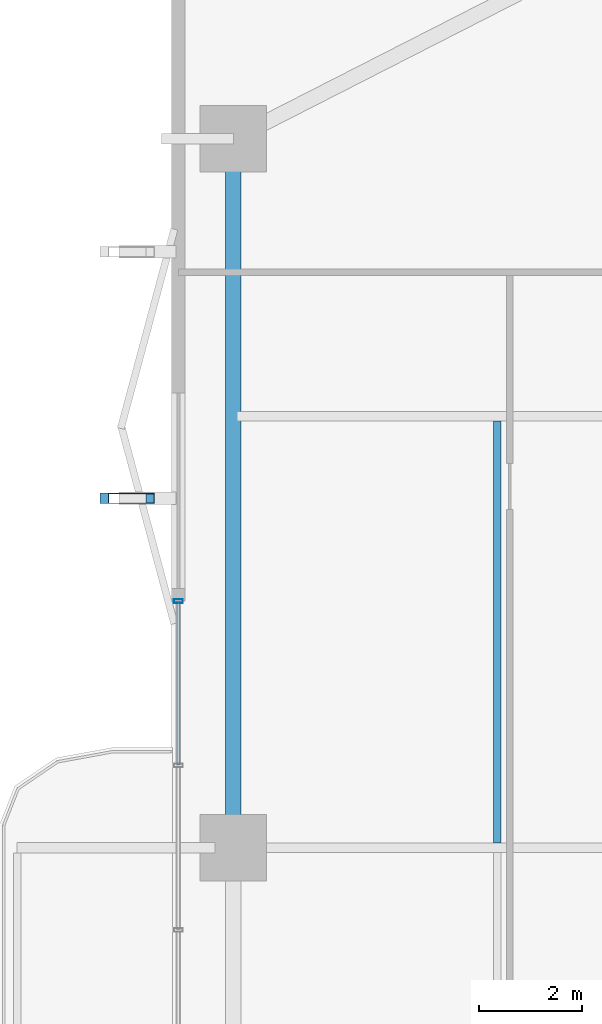
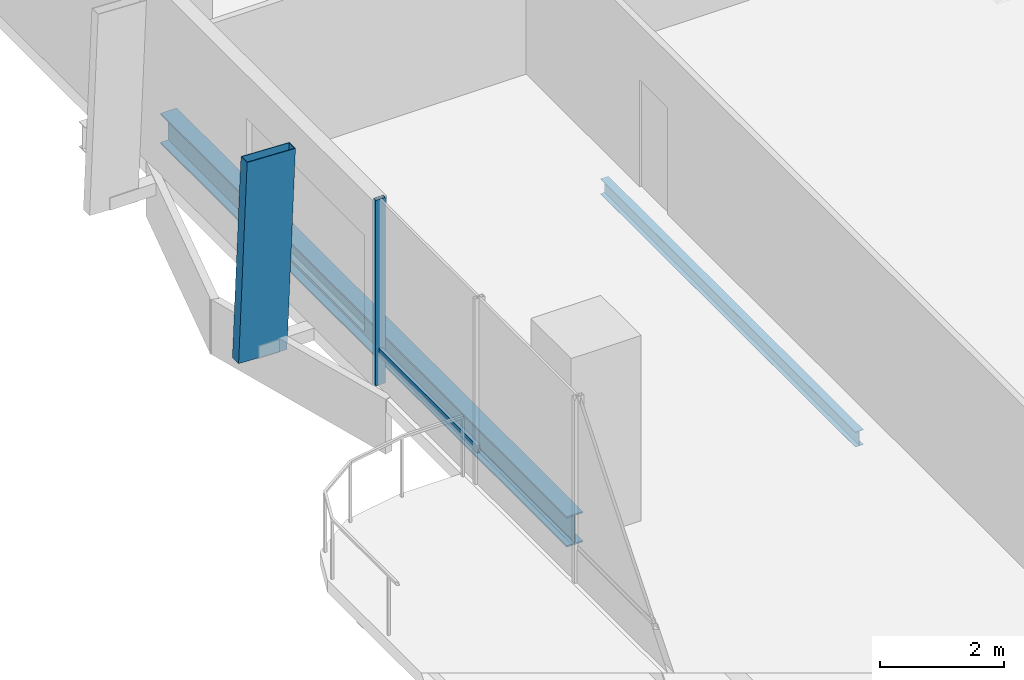
# One storey, part 9 of 24: 3 members, 2 beams, 1 element without a shape of its own.
"""IFC4 building model written with IfcOpenShell, lengths in metres."""

from ifc_helpers import new_model, si_unit, direction, frame, origin, origin_2d, place, context, subcontext, project, spatial, hollow_rectangle, i_section, extrude, material, layer, layer_set, material_profile, profile_set, type_object, element, aggregate, save


model = new_model("IFC4")

# Units and contexts
model_context = context("Model", 3, precision=1e-05, world=origin(), true_north=direction((0.0, 1.0)))
body_context = subcontext(model_context, "Body", "Model", "MODEL_VIEW")
ifc_project = project(units=[si_unit("LENGTHUNIT", "METRE"), si_unit("AREAUNIT", "SQUARE_METRE"), si_unit("VOLUMEUNIT", "CUBIC_METRE"), si_unit("PLANEANGLEUNIT", "RADIAN"), si_unit("MASSUNIT", "GRAM", prefix="KILO")], contexts=[model_context])

# Site, building, storey
site_placement = place(None, origin())
site = spatial("IfcSite", under=ifc_project, at=site_placement, CompositionType="ELEMENT")
building_placement = place(site_placement, origin())
building = spatial("IfcBuilding", under=site, at=building_placement, Name="Belovzor Exchange Tower", CompositionType="ELEMENT")
storey_placement = place(building_placement, frame((0.0, 0.0, 117.300048828125)))
storey = spatial("IfcBuildingStorey", under=building, at=storey_placement, Name="L28", CompositionType="ELEMENT", Elevation=117.300048828125)

# Beam
ifc_material_1 = material(Name="Steel S355", Category="steel")
ifc_material_profile_1 = material_profile(ifc_material_1, i_section(OverallWidth=0.14990234375, OverallDepth=0.300048828125, WebThickness=0.007080078125, FlangeThickness=0.0107421875, at=origin_2d()))
ifc_profile_set_1 = profile_set([ifc_material_profile_1], Name="Steel S355")
beam_type_1 = type_object("IfcBeamType", Name="Secondary Trim Floor Joist IPE 300", PredefinedType="BEAM", material=ifc_profile_set_1)
beam_1_placement = place(storey_placement, frame((9.0390625, 28.89501953125, -0.400146484375), z_axis=(0.0, 1.0, 0.0), x_axis=(-1.0, 0.0, 0.0)))
element("IfcBeam", 1, at=beam_1_placement, inside=storey, type_object=beam_type_1, Name="FJ-300 Secondary Trim Floor Joist IPE 300", PredefinedType="BEAM", context=body_context, shape_type="SweptSolid", body=[
    extrude(i_section(OverallWidth=0.14990234375, OverallDepth=0.300048828125, WebThickness=0.007080078125, FlangeThickness=0.0107421875, at=origin_2d()), origin(), (0.0, 0.0, 1.0), 8.2099609375),
])

# Member
ifc_material_2 = material(Name="Extruded Architectural Terracotta on Steel S355 Carrier", Category="masonry")
ifc_material_profile_2 = material_profile(ifc_material_2, hollow_rectangle(XDim=0.199951171875, YDim=0.89990234375, WallThickness=0.011962890625, at=origin_2d()))
ifc_profile_set_2 = profile_set([ifc_material_profile_2], Name="Extruded Architectural Terracotta on Steel S355 Carrier")
member_type_1 = type_object("IfcMemberType", Name="Sweeping Terracotta Baguette Fin Assembly 1250", PredefinedType="USERDEFINED", material=ifc_profile_set_2)
member_1_placement = place(storey_placement, frame((1.758056640625, 35.60009765625, -0.25), z_axis=(0.040719923662, 0.0, 0.999170599956), x_axis=(0.0, 1.0, 0.0)))
element("IfcMember", 2, at=member_1_placement, inside=storey, type_object=member_type_1, Name="FIN-TC125 Terracotta Facade Fin L28 W3", ObjectType="FIN", PredefinedType="USERDEFINED", context=body_context, shape_type="SweptSolid", body=[
    extrude(hollow_rectangle(XDim=0.199951171875, YDim=0.89990234375, WallThickness=0.011962890625, at=origin_2d()), origin(), (0.0, 0.0, 1.0), 3.903076171875),
])

# Curtain wall, members
ifc_material_3 = material(Name="Anodised Aluminium Framing", Category="aluminium")
ifc_layer = layer(ifc_material_3, 0.179931640625)
ifc_layer_set = layer_set([ifc_layer], Name="Anodised Aluminium Framing")
curtain_wall_type = type_object("IfcCurtainWallType", Name="Recessed Loggia Low-Iron Triple-Glazed Curtain Wall", PredefinedType="NOTDEFINED", material=ifc_layer_set)
curtain_wall_placement = place(storey_placement, origin())
curtain_wall = element("IfcCurtainWall", 3, at=curtain_wall_placement, inside=storey, type_object=curtain_wall_type, Name="CW3 Recessed Loggia Low-Iron Triple-Glazed Curtain Wall L28", PredefinedType="NOTDEFINED")
ifc_material_4 = material(Name="Steel S355", Category="steel")
ifc_material_profile_3 = material_profile(ifc_material_4, hollow_rectangle(XDim=0.074951171875, YDim=0.179931640625, WallThickness=0.0048828125, at=origin_2d()))
ifc_profile_set_3 = profile_set([ifc_material_profile_3], Name="Steel S355")
member_type_2 = type_object("IfcMemberType", Name="Thermally Broken Curtain Wall Mullion 180x75", PredefinedType="MULLION", material=ifc_profile_set_3)
member_2_placement = place(storey_placement, frame((2.830078125, 33.60009765625, 0.0), z_axis=(0.0, 0.0, 1.0), x_axis=(0.0, 1.0, 0.0)))
member_2 = element("IfcMember", 4, at=member_2_placement, type_object=member_type_2, Name="CW-M180 Curtain Wall Mullion 4", PredefinedType="MULLION", context=body_context, shape_type="SweptSolid", body=[
    extrude(hollow_rectangle(XDim=0.074951171875, YDim=0.179931640625, WallThickness=0.0048828125, at=origin_2d()), origin(), (0.0, 0.0, 1.0), 3.64990234375),
])
ifc_material_5 = material(Name="Steel S355", Category="steel")
ifc_material_profile_4 = material_profile(ifc_material_5, hollow_rectangle(XDim=0.06005859375, YDim=0.14990234375, WallThickness=0.00390625, at=origin_2d()))
ifc_profile_set_4 = profile_set([ifc_material_profile_4], Name="Steel S355")
member_type_3 = type_object("IfcMemberType", Name="Thermally Broken Curtain Wall Transom 150x60", PredefinedType="USERDEFINED", material=ifc_profile_set_4)
member_3_placement = place(storey_placement, frame((2.830078125, 30.407958984375, 0.64990234375), z_axis=(0.0, 1.0, 0.0), x_axis=(-1.0, 0.0, 0.0)))
member_3 = element("IfcMember", 5, at=member_3_placement, type_object=member_type_3, Name="CW-T150 Curtain Wall Transom 3", ObjectType="TRANSOM", PredefinedType="USERDEFINED", context=body_context, shape_type="SweptSolid", body=[
    extrude(hollow_rectangle(XDim=0.06005859375, YDim=0.14990234375, WallThickness=0.00390625, at=origin_2d()), origin(), (0.0, 0.0, 1.0), 3.18408203125),
])
aggregate(curtain_wall, [member_2, member_3])

# Beam
ifc_material_6 = material(Name="Steel S355", Category="steel")
ifc_material_profile_5 = material_profile(ifc_material_6, i_section(OverallWidth=0.300048828125, OverallDepth=0.60009765625, WebThickness=0.015380859375, FlangeThickness=0.030029296875, at=origin_2d()))
ifc_profile_set_5 = profile_set([ifc_material_profile_5], Name="Steel S355")
beam_type_2 = type_object("IfcBeamType", Name="Zone 2 Primary Perimeter Girder HEB 600", PredefinedType="BEAM", material=ifc_profile_set_5)
beam_2_placement = place(storey_placement, frame((3.89990234375, 42.241943359375, -0.550048828125), z_axis=(0.0, -1.0, 0.0), x_axis=(1.0, 0.0, 0.0)))
element("IfcBeam", 6, at=beam_2_placement, inside=storey, type_object=beam_type_2, Name="FG-Z2 Zone 2 Primary Perimeter Girder HEB 600", PredefinedType="BEAM", context=body_context, shape_type="SweptSolid", body=[
    extrude(i_section(OverallWidth=0.300048828125, OverallDepth=0.60009765625, WebThickness=0.015380859375, FlangeThickness=0.030029296875, at=origin_2d()), origin(), (0.0, 0.0, 1.0), 13.083984375),
])

save(model, "model.ifc")
